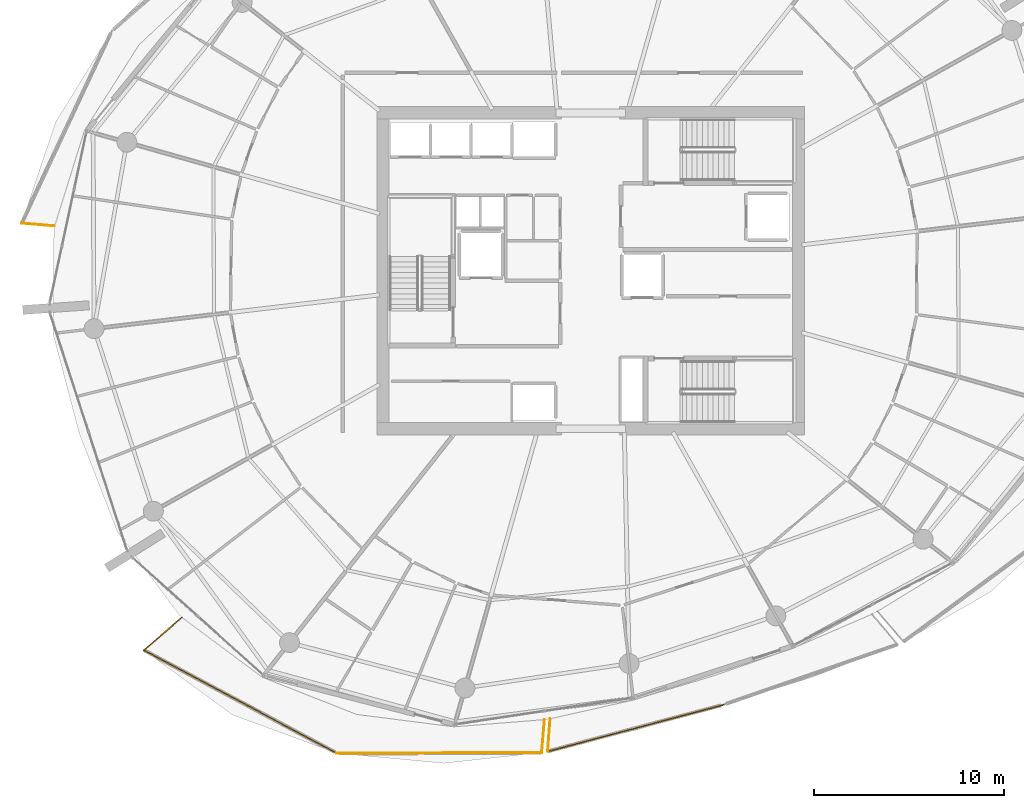
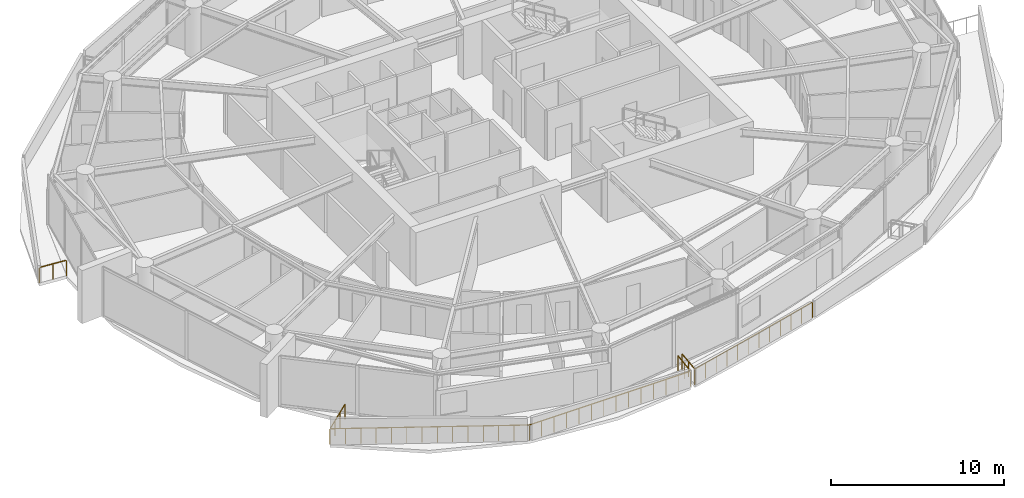
# One storey, part 16 of 20: 7 railings.
"""IFC4 building model written with IfcOpenShell, lengths in metres."""

from ifc_helpers import new_model, si_unit, direction, frame, origin, origin_2d, place, context, subcontext, project, spatial, rectangle, extrude, material, type_object, element, save


model = new_model("IFC4")

# Units and contexts
model_context = context("Model", 3, precision=1e-05, world=origin(), true_north=direction((0.0, 1.0)))
body_context = subcontext(model_context, "Body", "Model", "MODEL_VIEW")
ifc_project = project(units=[si_unit("LENGTHUNIT", "METRE"), si_unit("AREAUNIT", "SQUARE_METRE"), si_unit("VOLUMEUNIT", "CUBIC_METRE"), si_unit("PLANEANGLEUNIT", "RADIAN"), si_unit("MASSUNIT", "GRAM", prefix="KILO")], contexts=[model_context])

# Site, building, storey
site_placement = place(None, origin())
site = spatial("IfcSite", under=ifc_project, at=site_placement, CompositionType="ELEMENT")
building_placement = place(site_placement, origin())
building = spatial("IfcBuilding", under=site, at=building_placement, Name="Kazma Halo Residences", CompositionType="ELEMENT")
storey_placement = place(building_placement, frame((0.0, 0.0, 214.050048828125)))
storey = spatial("IfcBuildingStorey", under=building, at=storey_placement, Name="L54", CompositionType="ELEMENT", Elevation=214.050048828125)

# Railings
ifc_material = material(Name="Aluminium AW-6063 T6 Brushed Cap Rail", Category="aluminium")
railing_type = type_object("IfcRailingType", Name="RLG-BAL-CAP-1120", PredefinedType="BALUSTRADE", material=ifc_material)
railing_1_placement = place(storey_placement, frame((18.427490234375, 44.50927734375, 0.0)))
element("IfcRailing", 1, at=railing_1_placement, inside=storey, type_object=railing_type, Name="L54 NW wave balcony guard 4", PredefinedType="BALUSTRADE", context=body_context, shape_type="SweptSolid", body=[
    extrude(rectangle(XDim=0.050048828125, YDim=0.050048828125, at=origin_2d()), frame((0.04248046875, -0.003662109375, 1.09521484375), z_axis=(0.996421116344, -0.084527858746, 0.0), x_axis=(0.084527858746, 0.996421116344, 0.0)), (0.0, 0.0, 1.0), 1.659423828125),
    extrude(rectangle(XDim=0.0400390625, YDim=0.0400390625, at=origin_2d()), origin(), (0.0, 0.0, 1.0), 1.05810546875),
    extrude(rectangle(XDim=0.0400390625, YDim=0.0400390625, at=origin_2d()), frame((0.869140625, -0.07373046875, 0.0)), (0.0, 0.0, 1.0), 1.05810546875),
    extrude(rectangle(XDim=0.0400390625, YDim=0.0400390625, at=origin_2d()), frame((1.73828125, -0.1474609375, 0.0)), (0.0, 0.0, 1.0), 1.05810546875),
])
railing_2_placement = place(storey_placement, frame((26.869873046875, 23.728759765625, 0.0)))
element("IfcRailing", 2, at=railing_2_placement, inside=storey, type_object=railing_type, Name="L54 SW wave balcony guard 1", PredefinedType="BALUSTRADE", context=body_context, shape_type="SweptSolid", body=[
    extrude(rectangle(XDim=0.050048828125, YDim=0.050048828125, at=origin_2d()), frame((-0.0322265625, -0.02783203125, 1.09521484375), z_axis=(-0.756415130874, -0.654091851184, 0.0), x_axis=(0.654091851184, -0.756415130874, 0.0)), (0.0, 0.0, 1.0), 2.5537109375),
    extrude(rectangle(XDim=0.0400390625, YDim=0.0400390625, at=origin_2d()), origin(), (0.0, 0.0, 1.0), 1.05810546875),
    extrude(rectangle(XDim=0.0400390625, YDim=0.0400390625, at=origin_2d()), frame((-0.665283203125, -0.575439453125, 0.0)), (0.0, 0.0, 1.0), 1.05810546875),
    extrude(rectangle(XDim=0.0400390625, YDim=0.0400390625, at=origin_2d()), frame((-1.330810546875, -1.150634765625, 0.0)), (0.0, 0.0, 1.0), 1.05810546875),
    extrude(rectangle(XDim=0.0400390625, YDim=0.0400390625, at=origin_2d()), frame((-1.99609375, -1.72607421875, 0.0)), (0.0, 0.0, 1.0), 1.05810546875),
])
railing_3_placement = place(storey_placement, frame((24.873779296875, 22.002685546875, 0.0)))
element("IfcRailing", 3, at=railing_3_placement, inside=storey, type_object=railing_type, Name="L54 SW wave balcony guard 2", PredefinedType="BALUSTRADE", context=body_context, shape_type="SweptSolid", body=[
    extrude(rectangle(XDim=0.050048828125, YDim=0.050048828125, at=origin_2d()), frame((0.03759765625, -0.02001953125, 1.09521484375), z_axis=(0.88208021815, -0.471099234502, 0.0), x_axis=(0.471099234502, 0.88208021815, 0.0)), (0.0, 0.0, 1.0), 11.444091796875),
    extrude(rectangle(XDim=0.0400390625, YDim=0.0400390625, at=origin_2d()), origin(), (0.0, 0.0, 1.0), 1.05810546875),
    extrude(rectangle(XDim=0.0400390625, YDim=0.0400390625, at=origin_2d()), frame((0.7822265625, -0.417724609375, 0.0)), (0.0, 0.0, 1.0), 1.05810546875),
    extrude(rectangle(XDim=0.0400390625, YDim=0.0400390625, at=origin_2d()), frame((1.564453125, -0.835693359375, 0.0)), (0.0, 0.0, 1.0), 1.05810546875),
    extrude(rectangle(XDim=0.0400390625, YDim=0.0400390625, at=origin_2d()), frame((2.346923828125, -1.25341796875, 0.0)), (0.0, 0.0, 1.0), 1.05810546875),
    extrude(rectangle(XDim=0.0400390625, YDim=0.0400390625, at=origin_2d()), frame((3.129150390625, -1.671142578125, 0.0)), (0.0, 0.0, 1.0), 1.05810546875),
    extrude(rectangle(XDim=0.0400390625, YDim=0.0400390625, at=origin_2d()), frame((3.911376953125, -2.089111328125, 0.0)), (0.0, 0.0, 1.0), 1.05810546875),
    extrude(rectangle(XDim=0.0400390625, YDim=0.0400390625, at=origin_2d()), frame((4.693603515625, -2.5068359375, 0.0)), (0.0, 0.0, 1.0), 1.05810546875),
    extrude(rectangle(XDim=0.0400390625, YDim=0.0400390625, at=origin_2d()), frame((5.47607421875, -2.924560546875, 0.0)), (0.0, 0.0, 1.0), 1.05810546875),
    extrude(rectangle(XDim=0.0400390625, YDim=0.0400390625, at=origin_2d()), frame((6.25830078125, -3.34228515625, 0.0)), (0.0, 0.0, 1.0), 1.05810546875),
    extrude(rectangle(XDim=0.0400390625, YDim=0.0400390625, at=origin_2d()), frame((7.04052734375, -3.76025390625, 0.0)), (0.0, 0.0, 1.0), 1.05810546875),
    extrude(rectangle(XDim=0.0400390625, YDim=0.0400390625, at=origin_2d()), frame((7.82275390625, -4.177978515625, 0.0)), (0.0, 0.0, 1.0), 1.05810546875),
    extrude(rectangle(XDim=0.0400390625, YDim=0.0400390625, at=origin_2d()), frame((8.605224609375, -4.595703125, 0.0)), (0.0, 0.0, 1.0), 1.05810546875),
    extrude(rectangle(XDim=0.0400390625, YDim=0.0400390625, at=origin_2d()), frame((9.387451171875, -5.013671875, 0.0)), (0.0, 0.0, 1.0), 1.05810546875),
    extrude(rectangle(XDim=0.0400390625, YDim=0.0400390625, at=origin_2d()), frame((10.169677734375, -5.431396484375, 0.0)), (0.0, 0.0, 1.0), 1.05810546875),
])
railing_4_placement = place(storey_placement, frame((35.04345703125, 16.5712890625, 0.0)))
element("IfcRailing", 4, at=railing_4_placement, inside=storey, type_object=railing_type, Name="L54 SW wave balcony guard 3", PredefinedType="BALUSTRADE", context=body_context, shape_type="SweptSolid", body=[
    extrude(rectangle(XDim=0.050048828125, YDim=0.050048828125, at=origin_2d()), frame((0.04248046875, 0.0, 1.09521484375), z_axis=(0.999995944734, 0.002847896595, 0.0), x_axis=(-0.002847896595, 0.999995944734, 0.0)), (0.0, 0.0, 1.0), 10.716552734375),
    extrude(rectangle(XDim=0.0400390625, YDim=0.0400390625, at=origin_2d()), origin(), (0.0, 0.0, 1.0), 1.05810546875),
    extrude(rectangle(XDim=0.0400390625, YDim=0.0400390625, at=origin_2d()), frame((0.830810546875, 0.00244140625, 0.0)), (0.0, 0.0, 1.0), 1.05810546875),
    extrude(rectangle(XDim=0.0400390625, YDim=0.0400390625, at=origin_2d()), frame((1.661865234375, 0.004638671875, 0.0)), (0.0, 0.0, 1.0), 1.05810546875),
    extrude(rectangle(XDim=0.0400390625, YDim=0.0400390625, at=origin_2d()), frame((2.49267578125, 0.007080078125, 0.0)), (0.0, 0.0, 1.0), 1.05810546875),
    extrude(rectangle(XDim=0.0400390625, YDim=0.0400390625, at=origin_2d()), frame((3.323486328125, 0.009521484375, 0.0)), (0.0, 0.0, 1.0), 1.05810546875),
    extrude(rectangle(XDim=0.0400390625, YDim=0.0400390625, at=origin_2d()), frame((4.154541015625, 0.01171875, 0.0)), (0.0, 0.0, 1.0), 1.05810546875),
    extrude(rectangle(XDim=0.0400390625, YDim=0.0400390625, at=origin_2d()), frame((4.9853515625, 0.01416015625, 0.0)), (0.0, 0.0, 1.0), 1.05810546875),
    extrude(rectangle(XDim=0.0400390625, YDim=0.0400390625, at=origin_2d()), frame((5.816162109375, 0.0166015625, 0.0)), (0.0, 0.0, 1.0), 1.05810546875),
    extrude(rectangle(XDim=0.0400390625, YDim=0.0400390625, at=origin_2d()), frame((6.64697265625, 0.01904296875, 0.0)), (0.0, 0.0, 1.0), 1.05810546875),
    extrude(rectangle(XDim=0.0400390625, YDim=0.0400390625, at=origin_2d()), frame((7.47802734375, 0.021240234375, 0.0)), (0.0, 0.0, 1.0), 1.05810546875),
    extrude(rectangle(XDim=0.0400390625, YDim=0.0400390625, at=origin_2d()), frame((8.308837890625, 0.023681640625, 0.0)), (0.0, 0.0, 1.0), 1.05810546875),
    extrude(rectangle(XDim=0.0400390625, YDim=0.0400390625, at=origin_2d()), frame((9.1396484375, 0.026123046875, 0.0)), (0.0, 0.0, 1.0), 1.05810546875),
    extrude(rectangle(XDim=0.0400390625, YDim=0.0400390625, at=origin_2d()), frame((9.970703125, 0.0283203125, 0.0)), (0.0, 0.0, 1.0), 1.05810546875),
    extrude(rectangle(XDim=0.0400390625, YDim=0.0400390625, at=origin_2d()), frame((10.801513671875, 0.03076171875, 0.0)), (0.0, 0.0, 1.0), 1.05810546875),
])
railing_5_placement = place(storey_placement, frame((45.844970703125, 16.60205078125, 0.0)))
element("IfcRailing", 5, at=railing_5_placement, inside=storey, type_object=railing_type, Name="L54 SW wave balcony guard 4", PredefinedType="BALUSTRADE", context=body_context, shape_type="SweptSolid", body=[
    extrude(rectangle(XDim=0.050048828125, YDim=0.050048828125, at=origin_2d()), frame((0.003662109375, 0.04248046875, 1.09521484375), z_axis=(0.08462873268, 0.996412553918, 0.0), x_axis=(-0.996412553918, 0.08462873268, 0.0)), (0.0, 0.0, 1.0), 1.6630859375),
    extrude(rectangle(XDim=0.0400390625, YDim=0.0400390625, at=origin_2d()), origin(), (0.0, 0.0, 1.0), 1.05810546875),
    extrude(rectangle(XDim=0.0400390625, YDim=0.0400390625, at=origin_2d()), frame((0.073974609375, 0.87109375, 0.0)), (0.0, 0.0, 1.0), 1.05810546875),
    extrude(rectangle(XDim=0.0400390625, YDim=0.0400390625, at=origin_2d()), frame((0.14794921875, 1.741943359375, 0.0)), (0.0, 0.0, 1.0), 1.05810546875),
])
railing_6_placement = place(storey_placement, frame((46.286865234375, 18.387939453125, 0.0)))
element("IfcRailing", 6, at=railing_6_placement, inside=storey, type_object=railing_type, Name="L54 SSE wave balcony guard 1", PredefinedType="BALUSTRADE", context=body_context, shape_type="SweptSolid", body=[
    extrude(rectangle(XDim=0.050048828125, YDim=0.050048828125, at=origin_2d()), frame((-0.003173828125, -0.04248046875, 1.09521484375), z_axis=(-0.072380034716, -0.997377125552, 0.0), x_axis=(0.997377125552, -0.072380034716, 0.0)), (0.0, 0.0, 1.0), 1.645263671875),
    extrude(rectangle(XDim=0.0400390625, YDim=0.0400390625, at=origin_2d()), origin(), (0.0, 0.0, 1.0), 1.05810546875),
    extrude(rectangle(XDim=0.0400390625, YDim=0.0400390625, at=origin_2d()), frame((-0.0625, -0.86279296875, 0.0)), (0.0, 0.0, 1.0), 1.05810546875),
    extrude(rectangle(XDim=0.0400390625, YDim=0.0400390625, at=origin_2d()), frame((-0.125244140625, -1.725830078125, 0.0)), (0.0, 0.0, 1.0), 1.05810546875),
])
railing_7_placement = place(storey_placement, frame((46.16162109375, 16.662109375, 0.0)))
element("IfcRailing", 7, at=railing_7_placement, inside=storey, type_object=railing_type, Name="L54 SSE wave balcony guard 2", PredefinedType="BALUSTRADE", context=body_context, shape_type="SweptSolid", body=[
    extrude(rectangle(XDim=0.050048828125, YDim=0.050048828125, at=origin_2d()), frame((0.041015625, 0.010986328125, 1.09521484375), z_axis=(0.966531683378, 0.256547276397, 0.0), x_axis=(-0.256547276397, 0.966531683378, 0.0)), (0.0, 0.0, 1.0), 9.507568359375),
    extrude(rectangle(XDim=0.0400390625, YDim=0.0400390625, at=origin_2d()), origin(), (0.0, 0.0, 1.0), 1.05810546875),
    extrude(rectangle(XDim=0.0400390625, YDim=0.0400390625, at=origin_2d()), frame((0.8427734375, 0.2236328125, 0.0)), (0.0, 0.0, 1.0), 1.05810546875),
    extrude(rectangle(XDim=0.0400390625, YDim=0.0400390625, at=origin_2d()), frame((1.685791015625, 0.447509765625, 0.0)), (0.0, 0.0, 1.0), 1.05810546875),
    extrude(rectangle(XDim=0.0400390625, YDim=0.0400390625, at=origin_2d()), frame((2.528564453125, 0.671142578125, 0.0)), (0.0, 0.0, 1.0), 1.05810546875),
    extrude(rectangle(XDim=0.0400390625, YDim=0.0400390625, at=origin_2d()), frame((3.371337890625, 0.894775390625, 0.0)), (0.0, 0.0, 1.0), 1.05810546875),
    extrude(rectangle(XDim=0.0400390625, YDim=0.0400390625, at=origin_2d()), frame((4.21435546875, 1.11865234375, 0.0)), (0.0, 0.0, 1.0), 1.05810546875),
    extrude(rectangle(XDim=0.0400390625, YDim=0.0400390625, at=origin_2d()), frame((5.05712890625, 1.34228515625, 0.0)), (0.0, 0.0, 1.0), 1.05810546875),
    extrude(rectangle(XDim=0.0400390625, YDim=0.0400390625, at=origin_2d()), frame((5.900146484375, 1.566162109375, 0.0)), (0.0, 0.0, 1.0), 1.05810546875),
    extrude(rectangle(XDim=0.0400390625, YDim=0.0400390625, at=origin_2d()), frame((6.742919921875, 1.789794921875, 0.0)), (0.0, 0.0, 1.0), 1.05810546875),
    extrude(rectangle(XDim=0.0400390625, YDim=0.0400390625, at=origin_2d()), frame((7.585693359375, 2.013427734375, 0.0)), (0.0, 0.0, 1.0), 1.05810546875),
    extrude(rectangle(XDim=0.0400390625, YDim=0.0400390625, at=origin_2d()), frame((8.4287109375, 2.2373046875, 0.0)), (0.0, 0.0, 1.0), 1.05810546875),
    extrude(rectangle(XDim=0.0400390625, YDim=0.0400390625, at=origin_2d()), frame((9.271484375, 2.4609375, 0.0)), (0.0, 0.0, 1.0), 1.05810546875),
])

save(model, "model.ifc")
